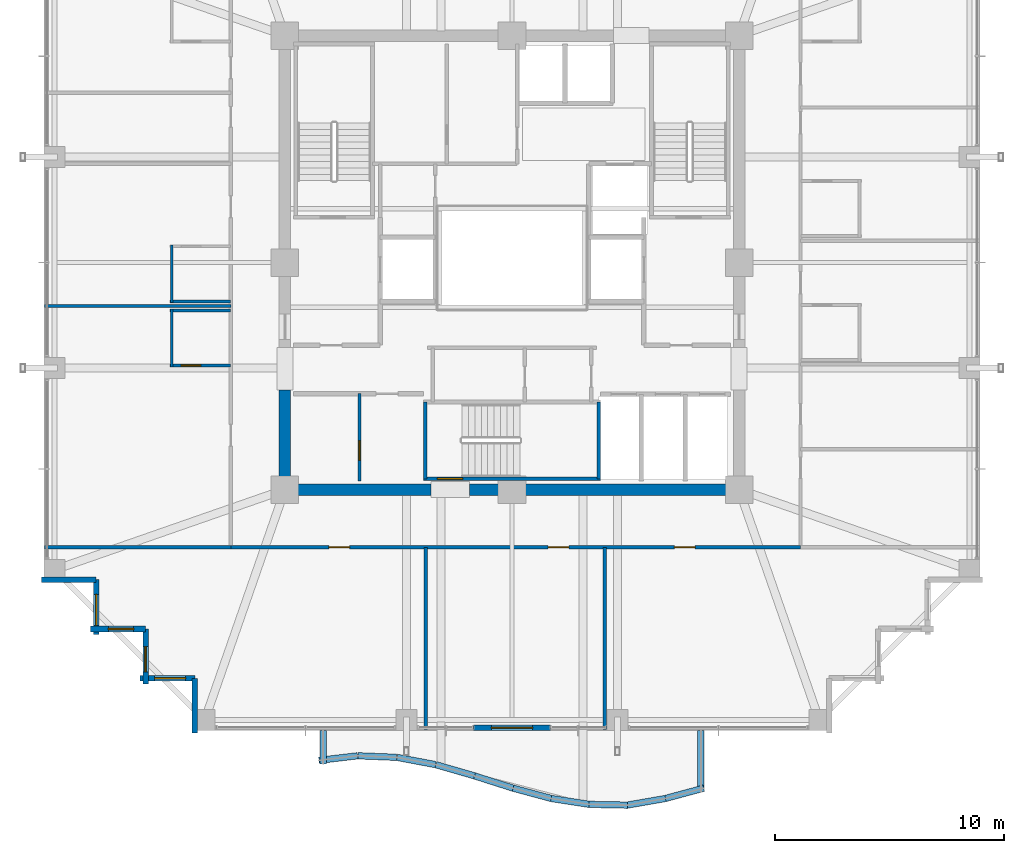
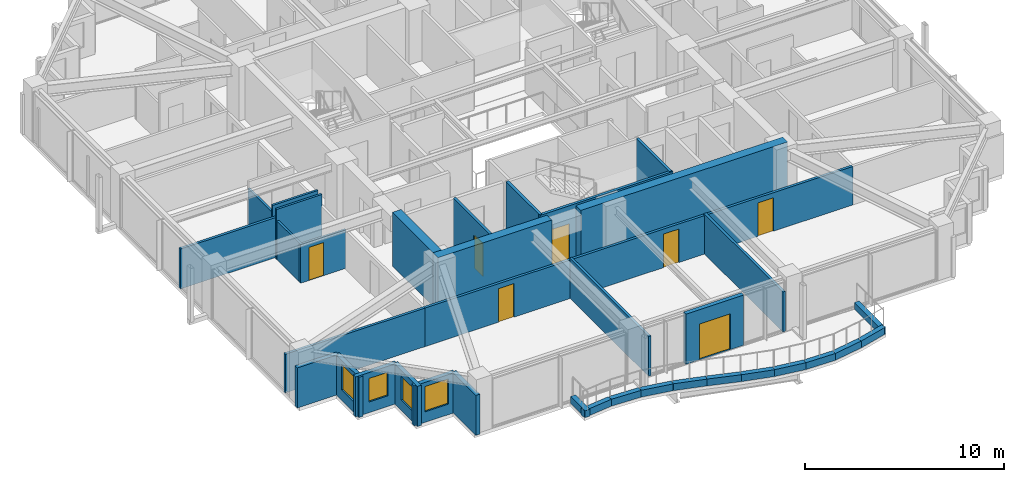
# One storey, part 31 of 37: 36 walls, 7 doors, 4 windows, 11 openings.
"""IFC4 building model written with IfcOpenShell, lengths in metres."""

from ifc_helpers import new_model, si_unit, direction, frame, frame_2d, origin, place, context, subcontext, project, spatial, rectangle, extrude, material, layer, layer_set, type_object, element, fill, save


model = new_model("IFC4")

# Units and contexts
model_context = context("Model", 3, precision=1e-05, world=origin(), true_north=direction((0.0, 1.0)))
body_context = subcontext(model_context, "Body", "Model", "MODEL_VIEW")
ifc_project = project(units=[si_unit("LENGTHUNIT", "METRE"), si_unit("AREAUNIT", "SQUARE_METRE"), si_unit("VOLUMEUNIT", "CUBIC_METRE"), si_unit("PLANEANGLEUNIT", "RADIAN"), si_unit("MASSUNIT", "GRAM", prefix="KILO")], contexts=[model_context])

# Site, building, storey
site_placement = place(None, origin())
site = spatial("IfcSite", under=ifc_project, at=site_placement, CompositionType="ELEMENT")
building_placement = place(site_placement, origin())
building = spatial("IfcBuilding", under=site, at=building_placement, Name="Kolvaren Belvedere", CompositionType="ELEMENT")
storey_placement = place(building_placement, frame((0.0, 0.0, 180.0)))
storey = spatial("IfcBuildingStorey", under=building, at=storey_placement, Name="L52", CompositionType="ELEMENT", Elevation=180.0)

# Walls
ifc_material_1 = material(Name="Concrete C50/60", Category="concrete")
ifc_layer_1 = layer(ifc_material_1, 0.5)
ifc_layer_set_1 = layer_set([ifc_layer_1], Name="Concrete C50/60")
wall_type_1 = type_object("IfcWallType", Name="CW-CORE-500", PredefinedType="SHEAR", material=ifc_layer_set_1)
wall_1_placement = place(storey_placement, frame((10.14990234375, -9.89990234375, 0.0), z_axis=(0.0, 0.0, 1.0), x_axis=(-1.0, 0.0, 0.0)))
element("IfcWall", 1, at=wall_1_placement, inside=storey, type_object=wall_type_1, Name="L52 South Core Shear Wall 1", PredefinedType="SHEAR", context=body_context, shape_type="SweptSolid", body=[
    extrude(rectangle(XDim=12.010009765625, YDim=0.5, at=frame_2d((6.0048828125, 0.0))), origin(), (0.0, 0.0, 1.0), 3.300048828125),
])
wall_2_placement = place(storey_placement, frame((-3.5400390625, -9.89990234375, 0.0), z_axis=(0.0, 0.0, 1.0), x_axis=(-1.0, 0.0, 0.0)))
element("IfcWall", 2, at=wall_2_placement, inside=storey, type_object=wall_type_1, Name="L52 South Core Shear Wall 2", PredefinedType="SHEAR", context=body_context, shape_type="SweptSolid", body=[
    extrude(rectangle(XDim=6.60986328125, YDim=0.5, at=frame_2d((3.304931640625, 0.0))), origin(), (0.0, 0.0, 1.0), 3.300048828125),
])
wall_3_placement = place(storey_placement, frame((-9.89990234375, -9.64990234375, 0.0), z_axis=(0.0, 0.0, 1.0), x_axis=(0.0, 1.0, 0.0)))
element("IfcWall", 3, at=wall_3_placement, inside=storey, type_object=wall_type_1, Name="L52 West Core Shear Wall 1", PredefinedType="SHEAR", context=body_context, shape_type="SweptSolid", body=[
    extrude(rectangle(XDim=4.099853515625, YDim=0.5, at=frame_2d((2.0498046875, 0.0))), origin(), (0.0, 0.0, 1.0), 3.300048828125),
])

# Wall, opening, door
ifc_material_2 = material(Name="Concrete C50/60", Category="concrete")
ifc_layer_2 = layer(ifc_material_2, 0.159912109375)
ifc_layer_set_2 = layer_set([ifc_layer_2], Name="Concrete C50/60")
wall_type_2 = type_object("IfcWallType", Name="CW-STAIR-160", PredefinedType="SHEAR", material=ifc_layer_set_2)
wall_4_placement = place(storey_placement, frame((3.860107421875, -9.429931640625, 0.0), z_axis=(0.0, 0.0, 1.0), x_axis=(-1.0, 0.0, 0.0)))
wall_4 = element("IfcWall", 4, at=wall_4_placement, inside=storey, type_object=wall_type_2, Name="L52 Stair ST-3 South Shear Wall", PredefinedType="SHEAR", context=body_context, shape_type="SweptSolid", body=[
    extrude(rectangle(XDim=7.72021484375, YDim=0.159912109375, at=frame_2d((3.860107421875, 0.0))), origin(), (0.0, 0.0, 1.0), 3.300048828125),
])
opening_1_placement = place(wall_4_placement, frame((6.010009765625, 0.0, 0.0)))
opening_1 = element("IfcOpeningElement", 5, at=opening_1_placement, cuts=wall_4, Name="Opening D-FD90", PredefinedType="OPENING", context=body_context, shape_type="SweptSolid", body=[
    extrude(rectangle(XDim=1.10009765625, YDim=2.199951171875, at=frame_2d((0.550048828125, 1.10009765625))), frame((0.0, 0.08984375, 0.0), z_axis=(0.0, -1.0, 0.0), x_axis=(1.0, 0.0, 0.0)), (0.0, 0.0, 1.0), 0.179931640625),
])
ifc_material_3 = material(Name="Painted hollow stainless steel", Category="steel")
door_type_1 = type_object("IfcDoorType", Name="DR-FD90-1100", OperationType="NOTDEFINED", PredefinedType="DOOR", material=ifc_material_3)
door_1_placement = place(opening_1_placement, origin())
door_1 = element("IfcDoor", 6, at=door_1_placement, inside=storey, type_object=door_type_1, Name="L52 Stair ST-3 Exit Door", OperationType="SINGLE_SWING_RIGHT", OverallHeight=2.199951171875, OverallWidth=1.10009765625, PredefinedType="DOOR", context=body_context, shape_type="SweptSolid", body=[
    extrude(rectangle(XDim=1.10009765625, YDim=2.199951171875, at=frame_2d((0.550048828125, 1.10009765625))), frame((0.0, 0.02490234375, 0.0), z_axis=(0.0, -1.0, 0.0), x_axis=(1.0, 0.0, 0.0)), (0.0, 0.0, 1.0), 0.050048828125),
])
fill(opening_1, door_1)

# Walls
for number, where, z_axis, x_axis, name in (
    (7, (-3.780029296875, -9.429931640625, 0.0), (0.0, 0.0, 1.0), (0.0, 1.0, 0.0), "L52 Stair ST-3 West Shear Wall"),
    (8, (3.780029296875, -9.429931640625, 0.0), (0.0, 0.0, 1.0), (0.0, 1.0, 0.0), "L52 Stair ST-3 East Shear Wall"),
):
    element("IfcWall", number, at=place(storey_placement, frame(where, z_axis=z_axis, x_axis=x_axis)), inside=storey, type_object=wall_type_2, Name=name, PredefinedType="SHEAR", context=body_context, shape_type="SweptSolid", body=[
        extrude(rectangle(XDim=3.349853515625, YDim=0.159912109375, at=frame_2d((1.6748046875, 0.0))), origin(), (0.0, 0.0, 1.0), 3.300048828125),
    ])

# Wall, openings, doors
ifc_material_4 = material(Name="Gypsum fire-rated partition assembly", Category="gypsum")
ifc_layer_3 = layer(ifc_material_4, 0.14990234375)
ifc_layer_set_3 = layer_set([ifc_layer_3], Name="Gypsum fire-rated partition assembly")
wall_type_3 = type_object("IfcWallType", Name="WL-CORR-150", PredefinedType="PARTITIONING", material=ifc_layer_set_3)
wall_5_placement = place(storey_placement, frame((-12.260009765625, -12.419921875, 0.0), z_axis=(0.0, 0.0, 1.0), x_axis=(1.0, 0.0, 0.0)))
wall_5 = element("IfcWall", 9, at=wall_5_placement, inside=storey, type_object=wall_type_3, Name="L52 South Corridor Wall", PredefinedType="PARTITIONING", context=body_context, shape_type="SweptSolid", body=[
    extrude(rectangle(XDim=24.840087890625, YDim=0.14990234375, at=frame_2d((12.419921875, 0.0))), origin(), (0.0, 0.0, 1.0), 2.368896484375),
])
opening_2_placement = place(wall_5_placement, frame((4.27490234375, 0.0, 0.0)))
opening_2 = element("IfcOpeningElement", 10, at=opening_2_placement, cuts=wall_5, Name="Opening D-INT90", PredefinedType="OPENING", context=body_context, shape_type="SweptSolid", body=[
    extrude(rectangle(XDim=0.89990234375, YDim=2.06005859375, at=frame_2d((0.449951171875, 1.030029296875))), frame((0.0, 0.0849609375, 0.0), z_axis=(0.0, -1.0, 0.0), x_axis=(1.0, 0.0, 0.0)), (0.0, 0.0, 1.0), 0.169921875),
])
opening_3_placement = place(wall_5_placement, frame((13.840087890625, 0.0, 0.0)))
opening_3 = element("IfcOpeningElement", 11, at=opening_3_placement, cuts=wall_5, Name="Opening D-INT90", PredefinedType="OPENING", context=body_context, shape_type="SweptSolid", body=[
    extrude(rectangle(XDim=0.89990234375, YDim=2.06005859375, at=frame_2d((0.449951171875, 1.030029296875))), frame((0.0, 0.0849609375, 0.0), z_axis=(0.0, -1.0, 0.0), x_axis=(1.0, 0.0, 0.0)), (0.0, 0.0, 1.0), 0.169921875),
])
opening_4_placement = place(wall_5_placement, frame((19.344970703125, 0.0, 0.0)))
opening_4 = element("IfcOpeningElement", 12, at=opening_4_placement, cuts=wall_5, Name="Opening D-INT90", PredefinedType="OPENING", context=body_context, shape_type="SweptSolid", body=[
    extrude(rectangle(XDim=0.89990234375, YDim=2.06005859375, at=frame_2d((0.449951171875, 1.030029296875))), frame((0.0, 0.0849609375, 0.0), z_axis=(0.0, -1.0, 0.0), x_axis=(1.0, 0.0, 0.0)), (0.0, 0.0, 1.0), 0.169921875),
])
ifc_material_5 = material(Name="Stained Pacific white oak", Category="timber")
door_type_2 = type_object("IfcDoorType", Name="DR-INT-900", OperationType="NOTDEFINED", PredefinedType="DOOR", material=ifc_material_5)
door_2_placement = place(opening_2_placement, origin())
door_2 = element("IfcDoor", 13, at=door_2_placement, inside=storey, type_object=door_type_2, Name="L52 Lounge 5201 Door", OperationType="SINGLE_SWING_RIGHT", OverallHeight=2.06005859375, OverallWidth=0.89990234375, PredefinedType="DOOR", context=body_context, shape_type="SweptSolid", body=[
    extrude(rectangle(XDim=0.89990234375, YDim=2.06005859375, at=frame_2d((0.449951171875, 1.030029296875))), frame((0.0, 0.02490234375, 0.0), z_axis=(0.0, -1.0, 0.0), x_axis=(1.0, 0.0, 0.0)), (0.0, 0.0, 1.0), 0.050048828125),
])
fill(opening_2, door_2)
door_3_placement = place(opening_3_placement, origin())
door_3 = element("IfcDoor", 14, at=door_3_placement, inside=storey, type_object=door_type_2, Name="L52 Private Hospitality Meeting Room 5202 Door", OperationType="SINGLE_SWING_LEFT", OverallHeight=2.06005859375, OverallWidth=0.89990234375, PredefinedType="DOOR", context=body_context, shape_type="SweptSolid", body=[
    extrude(rectangle(XDim=0.89990234375, YDim=2.06005859375, at=frame_2d((0.449951171875, 1.030029296875))), frame((0.0, 0.02490234375, 0.0), z_axis=(0.0, -1.0, 0.0), x_axis=(1.0, 0.0, 0.0)), (0.0, 0.0, 1.0), 0.050048828125),
])
fill(opening_3, door_3)
door_4_placement = place(opening_4_placement, origin())
door_4 = element("IfcDoor", 15, at=door_4_placement, inside=storey, type_object=door_type_2, Name="L52 Lounge 5203 Door", OperationType="SINGLE_SWING_RIGHT", OverallHeight=2.06005859375, OverallWidth=0.89990234375, PredefinedType="DOOR", context=body_context, shape_type="SweptSolid", body=[
    extrude(rectangle(XDim=0.89990234375, YDim=2.06005859375, at=frame_2d((0.449951171875, 1.030029296875))), frame((0.0, 0.02490234375, 0.0), z_axis=(0.0, -1.0, 0.0), x_axis=(1.0, 0.0, 0.0)), (0.0, 0.0, 1.0), 0.050048828125),
])
fill(opening_4, door_4)

# Wall, opening, door
ifc_material_6 = material(Name="Insulated pale-metal facade wall assembly", Category="aluminium")
ifc_layer_4 = layer(ifc_material_6, 0.239990234375)
ifc_layer_set_4 = layer_set([ifc_layer_4], Name="Insulated pale-metal facade wall assembly")
wall_type_4 = type_object("IfcWallType", Name="WL-EXT-240", PredefinedType="STANDARD", material=ifc_layer_set_4)
wall_6_placement = place(storey_placement, frame((1.679931640625, -20.280029296875, 0.0), z_axis=(0.0, 0.0, 1.0), x_axis=(-1.0, 0.0, 0.0)))
wall_6 = element("IfcWall", 16, at=wall_6_placement, inside=storey, type_object=wall_type_4, Name="L52 South Terrace Portal Wall", PredefinedType="STANDARD", context=body_context, shape_type="SweptSolid", body=[
    extrude(rectangle(XDim=3.35986328125, YDim=0.239990234375, at=frame_2d((1.679931640625, 0.0))), origin(), (0.0, 0.0, 1.0), 3.080078125),
])
opening_5_placement = place(wall_6_placement, frame((0.780029296875, 0.0, 0.0)))
opening_5 = element("IfcOpeningElement", 17, at=opening_5_placement, cuts=wall_6, Name="Opening DB-1800", PredefinedType="OPENING", context=body_context, shape_type="SweptSolid", body=[
    extrude(rectangle(XDim=1.800048828125, YDim=2.199951171875, at=frame_2d((0.89990234375, 1.10009765625))), frame((0.0, 0.1298828125, 0.0), z_axis=(0.0, -1.0, 0.0), x_axis=(1.0, 0.0, 0.0)), (0.0, 0.0, 1.0), 0.260009765625),
])
ifc_material_7 = material(Name="Thermally broken pale-metal aluminium & low-iron glass", Category="aluminium")
door_type_3 = type_object("IfcDoorType", Name="DR-BAL-1800", OperationType="DOUBLE_DOOR_SLIDING", PredefinedType="DOOR", material=ifc_material_7)
door_5_placement = place(opening_5_placement, origin())
door_5 = element("IfcDoor", 18, at=door_5_placement, inside=storey, type_object=door_type_3, Name="L52 South Planted Terrace Sliding Door", OperationType="DOUBLE_DOOR_SLIDING", OverallHeight=2.199951171875, OverallWidth=1.800048828125, PredefinedType="DOOR", context=body_context, shape_type="SweptSolid", body=[
    extrude(rectangle(XDim=1.800048828125, YDim=2.199951171875, at=frame_2d((0.89990234375, 1.10009765625))), frame((0.0, 0.02490234375, 0.0), z_axis=(0.0, -1.0, 0.0), x_axis=(1.0, 0.0, 0.0)), (0.0, 0.0, 1.0), 0.050048828125),
])
fill(opening_5, door_5)

# Wall
wall_7_placement = place(storey_placement, frame((-18.1298828125, -13.830078125, 0.0), z_axis=(0.0, 0.0, 1.0), x_axis=(-1.0, 0.0, 0.0)))
element("IfcWall", 19, at=wall_7_placement, inside=storey, type_object=wall_type_4, Name="L52 Serrated Corner Facade Wall 23", PredefinedType="STANDARD", context=body_context, shape_type="SweptSolid", body=[
    extrude(rectangle(XDim=2.39013671875, YDim=0.239990234375, at=frame_2d((1.195068359375, 0.0))), origin(), (0.0, 0.0, 1.0), 2.462890625),
])

# Wall, opening, window
wall_8_placement = place(storey_placement, frame((-18.1298828125, -16.219970703125, 0.0), z_axis=(0.0, 0.0, 1.0), x_axis=(0.0, 1.0, 0.0)))
wall_8 = element("IfcWall", 20, at=wall_8_placement, inside=storey, type_object=wall_type_4, Name="L52 Serrated Corner Facade Wall 24", PredefinedType="STANDARD", context=body_context, shape_type="SweptSolid", body=[
    extrude(rectangle(XDim=2.389892578125, YDim=0.239990234375, at=frame_2d((1.19482421875, 0.0))), origin(), (0.0, 0.0, 1.0), 2.462890625),
])
opening_6_placement = place(wall_8_placement, frame((0.39990234375, 0.0, 0.64990234375)))
opening_6 = element("IfcOpeningElement", 21, at=opening_6_placement, cuts=wall_8, Name="Opening W-1350", PredefinedType="OPENING", context=body_context, shape_type="SweptSolid", body=[
    extrude(rectangle(XDim=1.35009765625, YDim=1.550048828125, at=frame_2d((0.675048828125, 0.77490234375))), frame((0.0, 0.1298828125, 0.0), z_axis=(0.0, -1.0, 0.0), x_axis=(1.0, 0.0, 0.0)), (0.0, 0.0, 1.0), 0.260009765625),
])
ifc_material_8 = material(Name="Low-iron triple insulated glass", Category="glass")
window_type_1 = type_object("IfcWindowType", Name="WN-CORN-1350", PartitioningType="SINGLE_PANEL", PredefinedType="WINDOW", material=ifc_material_8)
window_1_placement = place(opening_6_placement, origin())
window_1 = element("IfcWindow", 22, at=window_1_placement, inside=storey, type_object=window_type_1, Name="L52 Serrated Corner Vision Window 24", OverallHeight=1.550048828125, OverallWidth=1.35009765625, PartitioningType="SINGLE_PANEL", PredefinedType="WINDOW", context=body_context, shape_type="SweptSolid", body=[
    extrude(rectangle(XDim=1.35009765625, YDim=1.550048828125, at=frame_2d((0.675048828125, 0.77490234375))), frame((0.0, 0.030029296875, 0.0), z_axis=(0.0, -1.0, 0.0), x_axis=(1.0, 0.0, 0.0)), (0.0, 0.0, 1.0), 0.06005859375),
])
fill(opening_6, window_1)

wall_9_placement = place(storey_placement, frame((-15.97998046875, -15.97998046875, 0.0), z_axis=(0.0, 0.0, 1.0), x_axis=(-1.0, 0.0, 0.0)))
wall_9 = element("IfcWall", 23, at=wall_9_placement, inside=storey, type_object=wall_type_4, Name="L52 Serrated Corner Facade Wall 25", PredefinedType="STANDARD", context=body_context, shape_type="SweptSolid", body=[
    extrude(rectangle(XDim=2.39013671875, YDim=0.239990234375, at=frame_2d((1.195068359375, 0.0))), origin(), (0.0, 0.0, 1.0), 2.462890625),
])
opening_7_placement = place(wall_9_placement, frame((0.52490234375, 0.0, 0.64990234375)))
opening_7 = element("IfcOpeningElement", 24, at=opening_7_placement, cuts=wall_9, Name="Opening W-1100", PredefinedType="OPENING", context=body_context, shape_type="SweptSolid", body=[
    extrude(rectangle(XDim=1.10009765625, YDim=1.449951171875, at=frame_2d((0.550048828125, 0.72509765625))), frame((0.0, 0.1298828125, 0.0), z_axis=(0.0, -1.0, 0.0), x_axis=(1.0, 0.0, 0.0)), (0.0, 0.0, 1.0), 0.260009765625),
])
ifc_material_9 = material(Name="Low-iron triple insulated glass", Category="glass")
window_type_2 = type_object("IfcWindowType", Name="WN-CORN-1100", PartitioningType="SINGLE_PANEL", PredefinedType="WINDOW", material=ifc_material_9)
window_2_placement = place(opening_7_placement, origin())
window_2 = element("IfcWindow", 25, at=window_2_placement, inside=storey, type_object=window_type_2, Name="L52 Serrated Corner Vision Window 25", OverallHeight=1.449951171875, OverallWidth=1.10009765625, PartitioningType="SINGLE_PANEL", PredefinedType="WINDOW", context=body_context, shape_type="SweptSolid", body=[
    extrude(rectangle(XDim=1.10009765625, YDim=1.449951171875, at=frame_2d((0.550048828125, 0.72509765625))), frame((0.0, 0.030029296875, 0.0), z_axis=(0.0, -1.0, 0.0), x_axis=(1.0, 0.0, 0.0)), (0.0, 0.0, 1.0), 0.06005859375),
])
fill(opening_7, window_2)

wall_10_placement = place(storey_placement, frame((-15.97998046875, -18.3701171875, 0.0), z_axis=(0.0, 0.0, 1.0), x_axis=(0.0, 1.0, 0.0)))
wall_10 = element("IfcWall", 26, at=wall_10_placement, inside=storey, type_object=wall_type_4, Name="L52 Serrated Corner Facade Wall 26", PredefinedType="STANDARD", context=body_context, shape_type="SweptSolid", body=[
    extrude(rectangle(XDim=2.39013671875, YDim=0.239990234375, at=frame_2d((1.195068359375, 0.0))), origin(), (0.0, 0.0, 1.0), 2.462890625),
])
opening_8_placement = place(wall_10_placement, frame((0.52490234375, 0.0, 0.64990234375)))
opening_8 = element("IfcOpeningElement", 27, at=opening_8_placement, cuts=wall_10, Name="Opening W-1100", PredefinedType="OPENING", context=body_context, shape_type="SweptSolid", body=[
    extrude(rectangle(XDim=1.10009765625, YDim=1.449951171875, at=frame_2d((0.550048828125, 0.72509765625))), frame((0.0, 0.1298828125, 0.0), z_axis=(0.0, -1.0, 0.0), x_axis=(1.0, 0.0, 0.0)), (0.0, 0.0, 1.0), 0.260009765625),
])
window_3_placement = place(opening_8_placement, origin())
window_3 = element("IfcWindow", 28, at=window_3_placement, inside=storey, type_object=window_type_2, Name="L52 Serrated Corner Vision Window 26", OverallHeight=1.449951171875, OverallWidth=1.10009765625, PartitioningType="SINGLE_PANEL", PredefinedType="WINDOW", context=body_context, shape_type="SweptSolid", body=[
    extrude(rectangle(XDim=1.10009765625, YDim=1.449951171875, at=frame_2d((0.550048828125, 0.72509765625))), frame((0.0, 0.030029296875, 0.0), z_axis=(0.0, -1.0, 0.0), x_axis=(1.0, 0.0, 0.0)), (0.0, 0.0, 1.0), 0.06005859375),
])
fill(opening_8, window_3)

wall_11_placement = place(storey_placement, frame((-13.830078125, -18.1298828125, 0.0), z_axis=(0.0, 0.0, 1.0), x_axis=(-1.0, 0.0, 0.0)))
wall_11 = element("IfcWall", 29, at=wall_11_placement, inside=storey, type_object=wall_type_4, Name="L52 Serrated Corner Facade Wall 27", PredefinedType="STANDARD", context=body_context, shape_type="SweptSolid", body=[
    extrude(rectangle(XDim=2.389892578125, YDim=0.239990234375, at=frame_2d((1.19482421875, 0.0))), origin(), (0.0, 0.0, 1.0), 2.462890625),
])
opening_9_placement = place(wall_11_placement, frame((0.39990234375, 0.0, 0.64990234375)))
opening_9 = element("IfcOpeningElement", 30, at=opening_9_placement, cuts=wall_11, Name="Opening W-1350", PredefinedType="OPENING", context=body_context, shape_type="SweptSolid", body=[
    extrude(rectangle(XDim=1.35009765625, YDim=1.550048828125, at=frame_2d((0.675048828125, 0.77490234375))), frame((0.0, 0.1298828125, 0.0), z_axis=(0.0, -1.0, 0.0), x_axis=(1.0, 0.0, 0.0)), (0.0, 0.0, 1.0), 0.260009765625),
])
window_4_placement = place(opening_9_placement, origin())
window_4 = element("IfcWindow", 31, at=window_4_placement, inside=storey, type_object=window_type_1, Name="L52 Serrated Corner Vision Window 27", OverallHeight=1.550048828125, OverallWidth=1.35009765625, PartitioningType="SINGLE_PANEL", PredefinedType="WINDOW", context=body_context, shape_type="SweptSolid", body=[
    extrude(rectangle(XDim=1.35009765625, YDim=1.550048828125, at=frame_2d((0.675048828125, 0.77490234375))), frame((0.0, 0.030029296875, 0.0), z_axis=(0.0, -1.0, 0.0), x_axis=(1.0, 0.0, 0.0)), (0.0, 0.0, 1.0), 0.06005859375),
])
fill(opening_9, window_4)

# Wall
wall_12_placement = place(storey_placement, frame((-13.830078125, -20.52001953125, 0.0), z_axis=(0.0, 0.0, 1.0), x_axis=(0.0, 1.0, 0.0)))
element("IfcWall", 32, at=wall_12_placement, inside=storey, type_object=wall_type_4, Name="L52 Serrated Corner Facade Wall 28", PredefinedType="STANDARD", context=body_context, shape_type="SweptSolid", body=[
    extrude(rectangle(XDim=2.39013671875, YDim=0.239990234375, at=frame_2d((1.195068359375, 0.0))), origin(), (0.0, 0.0, 1.0), 2.462890625),
])

# Wall, opening, door
ifc_material_10 = material(Name="Gypsum acoustic partition assembly", Category="gypsum")
ifc_layer_5 = layer(ifc_material_10, 0.14990234375)
ifc_layer_set_5 = layer_set([ifc_layer_5], Name="Gypsum acoustic partition assembly")
wall_type_5 = type_object("IfcWallType", Name="WL-PART-150", PredefinedType="PARTITIONING", material=ifc_layer_set_5)
wall_13_placement = place(storey_placement, frame((-6.64990234375, -9.52001953125, 0.0), z_axis=(0.0, 0.0, 1.0), x_axis=(0.0, 1.0, 0.0)))
wall_13 = element("IfcWall", 33, at=wall_13_placement, inside=storey, type_object=wall_type_5, Name="L52 Reclaimed Mid Divider", PredefinedType="PARTITIONING", context=body_context, shape_type="SweptSolid", body=[
    extrude(rectangle(XDim=3.800048828125, YDim=0.14990234375, at=frame_2d((1.89990234375, 0.0))), origin(), (0.0, 0.0, 1.0), 3.080078125),
])
opening_10_placement = place(wall_13_placement, frame((0.89990234375, 0.0, 0.0)))
opening_10 = element("IfcOpeningElement", 34, at=opening_10_placement, cuts=wall_13, Name="Opening D-INT85", PredefinedType="OPENING", context=body_context, shape_type="SweptSolid", body=[
    extrude(rectangle(XDim=0.85009765625, YDim=2.030029296875, at=frame_2d((0.425048828125, 1.01513671875))), frame((0.0, 0.0849609375, 0.0), z_axis=(0.0, -1.0, 0.0), x_axis=(1.0, 0.0, 0.0)), (0.0, 0.0, 1.0), 0.169921875),
])
ifc_material_11 = material(Name="Stained Pacific white oak", Category="timber")
door_type_4 = type_object("IfcDoorType", Name="DR-INT-850", OperationType="NOTDEFINED", PredefinedType="DOOR", material=ifc_material_11)
door_6_placement = place(opening_10_placement, origin())
door_6 = element("IfcDoor", 35, at=door_6_placement, inside=storey, type_object=door_type_4, Name="L52 Conservatory Alcove Door", OperationType="SINGLE_SWING_RIGHT", OverallHeight=2.030029296875, OverallWidth=0.85009765625, PredefinedType="DOOR", context=body_context, shape_type="SweptSolid", body=[
    extrude(rectangle(XDim=0.85009765625, YDim=2.030029296875, at=frame_2d((0.425048828125, 1.01513671875))), frame((0.0, 0.02490234375, 0.0), z_axis=(0.0, -1.0, 0.0), x_axis=(1.0, 0.0, 0.0)), (0.0, 0.0, 1.0), 0.050048828125),
])
fill(opening_10, door_6)

# Walls
wall_14_placement = place(storey_placement, frame((-20.3798828125, -12.419921875, 0.0), z_axis=(0.0, 0.0, 1.0), x_axis=(1.0, 0.0, 0.0)))
element("IfcWall", 36, at=wall_14_placement, inside=storey, type_object=wall_type_5, Name="L52 Wing Divider PW-L52-QSW", PredefinedType="PARTITIONING", context=body_context, shape_type="SweptSolid", body=[
    extrude(rectangle(XDim=8.119873046875, YDim=0.14990234375, at=frame_2d((4.06005859375, 0.0))), origin(), (0.0, 0.0, 1.0), 2.368896484375),
])
for number, where, z_axis, x_axis, name in (
    (37, (-3.760009765625, -20.3798828125, 0.0), (0.0, 0.0, 1.0), (0.0, 1.0, 0.0), "L52 South Suite Demising Wall 1"),
    (38, (4.0400390625, -20.3798828125, 0.0), (0.0, 0.0, 1.0), (0.0, 1.0, 0.0), "L52 South Suite Demising Wall 2"),
):
    element("IfcWall", number, at=place(storey_placement, frame(where, z_axis=z_axis, x_axis=x_axis)), inside=storey, type_object=wall_type_5, Name=name, PredefinedType="PARTITIONING", context=body_context, shape_type="SweptSolid", body=[
        extrude(rectangle(XDim=7.9599609375, YDim=0.14990234375, at=frame_2d((3.97998046875, 0.0))), origin(), (0.0, 0.0, 1.0), 2.452880859375),
    ])
wall_15_placement = place(storey_placement, frame((-20.3798828125, -1.89599609375, 0.0), z_axis=(0.0, 0.0, 1.0), x_axis=(1.0, 0.0, 0.0)))
element("IfcWall", 39, at=wall_15_placement, inside=storey, type_object=wall_type_5, Name="L52 West Suite Demising Wall 1", PredefinedType="PARTITIONING", context=body_context, shape_type="SweptSolid", body=[
    extrude(rectangle(XDim=8.119873046875, YDim=0.14990234375, at=frame_2d((4.06005859375, 0.0))), origin(), (0.0, 0.0, 1.0), 2.452880859375),
])
ifc_material_12 = material(Name="Precast concrete C40/50", Category="concrete")
ifc_layer_6 = layer(ifc_material_12, 0.300048828125)
ifc_layer_set_6 = layer_set([ifc_layer_6], Name="Precast concrete C40/50")
wall_type_6 = type_object("IfcWallType", Name="WL-PLANTER-300", PredefinedType="PARAPET", material=ifc_layer_set_6)
wall_16_placement = place(storey_placement, frame((-8.418701171875, -21.70751953125, -0.0400390625), z_axis=(0.0, 0.0, 1.0), x_axis=(0.993125952783, 0.11705059551, 0.0)))
element("IfcWall", 40, at=wall_16_placement, inside=storey, type_object=wall_type_6, Name="L52 Precast Structural Planter Wall BAL-S-1", PredefinedType="PARAPET", context=body_context, shape_type="SweptSolid", body=[
    extrude(rectangle(XDim=1.691650390625, YDim=0.280029296875, at=frame_2d((0.845703125, 0.0))), origin(), (0.0, 0.0, 1.0), 0.419921875),
])
wall_17_placement = place(storey_placement, frame((-6.713623046875, -21.508544921875, -0.0400390625), z_axis=(0.0, 0.0, 1.0), x_axis=(0.999196545286, -0.040078222133, 0.0)))
element("IfcWall", 41, at=wall_17_placement, inside=storey, type_object=wall_type_6, Name="L52 Precast Structural Planter Wall BAL-S-2", PredefinedType="PARAPET", context=body_context, shape_type="SweptSolid", body=[
    extrude(rectangle(XDim=1.681396484375, YDim=0.280029296875, at=frame_2d((0.8408203125, 0.0))), origin(), (0.0, 0.0, 1.0), 0.419921875),
])
wall_18_placement = place(storey_placement, frame((-5.010498046875, -21.57861328125, -0.0400390625), z_axis=(0.0, 0.0, 1.0), x_axis=(0.982804219087, -0.184650661912, 0.0)))
element("IfcWall", 42, at=wall_18_placement, inside=storey, type_object=wall_type_6, Name="L52 Precast Structural Planter Wall BAL-S-3", PredefinedType="PARAPET", context=body_context, shape_type="SweptSolid", body=[
    extrude(rectangle(XDim=1.70947265625, YDim=0.280029296875, at=frame_2d((0.854736328125, 0.0))), origin(), (0.0, 0.0, 1.0), 0.419921875),
])
wall_19_placement = place(storey_placement, frame((-3.3154296875, -21.89794921875, -0.0400390625), z_axis=(0.0, 0.0, 1.0), x_axis=(0.960633903819, -0.277817391164, 0.0)))
element("IfcWall", 43, at=wall_19_placement, inside=storey, type_object=wall_type_6, Name="L52 Precast Structural Planter Wall BAL-S-4", PredefinedType="PARAPET", context=body_context, shape_type="SweptSolid", body=[
    extrude(rectangle(XDim=1.748779296875, YDim=0.280029296875, at=frame_2d((0.87451171875, 0.0))), origin(), (0.0, 0.0, 1.0), 0.419921875),
])
wall_20_placement = place(storey_placement, frame((-1.63134765625, -22.38525390625, -0.0400390625), z_axis=(0.0, 0.0, 1.0), x_axis=(0.952661770826, -0.304032153573, 0.0)))
element("IfcWall", 44, at=wall_20_placement, inside=storey, type_object=wall_type_6, Name="L52 Precast Structural Planter Wall BAL-S-5", PredefinedType="PARAPET", context=body_context, shape_type="SweptSolid", body=[
    extrude(rectangle(XDim=1.763427734375, YDim=0.280029296875, at=frame_2d((0.8818359375, 0.0))), origin(), (0.0, 0.0, 1.0), 0.419921875),
])
wall_21_placement = place(storey_placement, frame((0.041748046875, -22.919189453125, -0.0400390625), z_axis=(0.0, 0.0, 1.0), x_axis=(0.965424492388, -0.260682852326, 0.0)))
element("IfcWall", 45, at=wall_21_placement, inside=storey, type_object=wall_type_6, Name="L52 Precast Structural Planter Wall BAL-S-6", PredefinedType="PARAPET", context=body_context, shape_type="SweptSolid", body=[
    extrude(rectangle(XDim=1.739990234375, YDim=0.280029296875, at=frame_2d((0.8701171875, 0.0))), origin(), (0.0, 0.0, 1.0), 0.419921875),
])
wall_22_placement = place(storey_placement, frame((1.704345703125, -23.369140625, -0.0400390625), z_axis=(0.0, 0.0, 1.0), x_axis=(0.988345118302, -0.152229849666, 0.0)))
element("IfcWall", 46, at=wall_22_placement, inside=storey, type_object=wall_type_6, Name="L52 Precast Structural Planter Wall BAL-S-7", PredefinedType="PARAPET", context=body_context, shape_type="SweptSolid", body=[
    extrude(rectangle(XDim=1.699951171875, YDim=0.280029296875, at=frame_2d((0.85009765625, 0.0))), origin(), (0.0, 0.0, 1.0), 0.419921875),
])
wall_23_placement = place(storey_placement, frame((3.36328125, -23.626220703125, -0.0400390625), z_axis=(0.0, 0.0, 1.0), x_axis=(0.99979895463, -0.020051192521, 0.0)))
element("IfcWall", 47, at=wall_23_placement, inside=storey, type_object=wall_type_6, Name="L52 Precast Structural Planter Wall BAL-S-8", PredefinedType="PARAPET", context=body_context, shape_type="SweptSolid", body=[
    extrude(rectangle(XDim=1.68017578125, YDim=0.280029296875, at=frame_2d((0.840087890625, 0.0))), origin(), (0.0, 0.0, 1.0), 0.419921875),
])
wall_24_placement = place(storey_placement, frame((5.012451171875, -23.662353515625, -0.0400390625), z_axis=(0.0, 0.0, 1.0), x_axis=(0.985156010777, 0.171661394699, 0.0)))
element("IfcWall", 48, at=wall_24_placement, inside=storey, type_object=wall_type_6, Name="L52 Precast Structural Planter Wall BAL-S-9", PredefinedType="PARAPET", context=body_context, shape_type="SweptSolid", body=[
    extrude(rectangle(XDim=1.705322265625, YDim=0.280029296875, at=frame_2d((0.8525390625, 0.0))), origin(), (0.0, 0.0, 1.0), 0.419921875),
])
wall_25_placement = place(storey_placement, frame((6.67822265625, -23.372802734375, -0.0400390625), z_axis=(0.0, 0.0, 1.0), x_axis=(0.965434024814, 0.260647546949, 0.0)))
element("IfcWall", 49, at=wall_25_placement, inside=storey, type_object=wall_type_6, Name="L52 Precast Structural Planter Wall BAL-S-10", PredefinedType="PARAPET", context=body_context, shape_type="SweptSolid", body=[
    extrude(rectangle(XDim=1.740234375, YDim=0.280029296875, at=frame_2d((0.8701171875, 0.0))), origin(), (0.0, 0.0, 1.0), 0.419921875),
])
wall_26_placement = place(storey_placement, frame((8.239990234375, -23.07373046875, -0.0400390625), z_axis=(0.0, 0.0, 1.0), x_axis=(0.0, 1.0, 0.0)))
element("IfcWall", 50, at=wall_26_placement, inside=storey, type_object=wall_type_6, Name="L52 Precast Structural Planter Wall BAL-S-11", PredefinedType="PARAPET", context=body_context, shape_type="SweptSolid", body=[
    extrude(rectangle(XDim=2.673828125, YDim=0.280029296875, at=frame_2d((1.3369140625, 0.0))), origin(), (0.0, 0.0, 1.0), 0.419921875),
])
wall_27_placement = place(storey_placement, frame((-8.239990234375, -20.39990234375, -0.0400390625), z_axis=(0.0, 0.0, 1.0), x_axis=(0.0, -1.0, 0.0)))
element("IfcWall", 51, at=wall_27_placement, inside=storey, type_object=wall_type_6, Name="L52 Precast Structural Planter Wall BAL-S-22", PredefinedType="PARAPET", context=body_context, shape_type="SweptSolid", body=[
    extrude(rectangle(XDim=1.46630859375, YDim=0.280029296875, at=frame_2d((0.733154296875, 0.0))), origin(), (0.0, 0.0, 1.0), 0.419921875),
])

# Wall, opening, door
ifc_material_13 = material(Name="Moisture-resistant gypsum partition", Category="gypsum")
ifc_layer_7 = layer(ifc_material_13, 0.125)
ifc_layer_set_7 = layer_set([ifc_layer_7], Name="Moisture-resistant gypsum partition")
wall_type_7 = type_object("IfcWallType", Name="WL-WET-125", PredefinedType="PARTITIONING", material=ifc_layer_set_7)
wall_28_placement = place(storey_placement, frame((-14.9150390625, -4.490966796875, 0.0), z_axis=(0.0, 0.0, 1.0), x_axis=(1.0, 0.0, 0.0)))
wall_28 = element("IfcWall", 52, at=wall_28_placement, inside=storey, type_object=wall_type_7, Name="L52 Bathroom Partition PW-L52-BTH-9-N", PredefinedType="PARTITIONING", context=body_context, shape_type="SweptSolid", body=[
    extrude(rectangle(XDim=2.64013671875, YDim=0.125, at=frame_2d((1.320068359375, 0.0))), origin(), (0.0, 0.0, 1.0), 2.368896484375),
])
opening_11_placement = place(wall_28_placement, frame((0.5, 0.0, 0.0)))
opening_11 = element("IfcOpeningElement", 53, at=opening_11_placement, cuts=wall_28, Name="Opening D-BTH85", PredefinedType="OPENING", context=body_context, shape_type="SweptSolid", body=[
    extrude(rectangle(XDim=0.85009765625, YDim=2.030029296875, at=frame_2d((0.425048828125, 1.01513671875))), frame((0.0, 0.072509765625, 0.0), z_axis=(0.0, -1.0, 0.0), x_axis=(1.0, 0.0, 0.0)), (0.0, 0.0, 1.0), 0.14501953125),
])
ifc_material_14 = material(Name="Moisture-sealed Pacific white oak", Category="timber")
door_type_5 = type_object("IfcDoorType", Name="DR-BATH-850", OperationType="NOTDEFINED", PredefinedType="DOOR", material=ifc_material_14)
door_7_placement = place(opening_11_placement, origin())
door_7 = element("IfcDoor", 54, at=door_7_placement, inside=storey, type_object=door_type_5, Name="L52 En-Suite Bathroom 5209 Door", OperationType="SINGLE_SWING_LEFT", OverallHeight=2.030029296875, OverallWidth=0.85009765625, PredefinedType="DOOR", context=body_context, shape_type="SweptSolid", body=[
    extrude(rectangle(XDim=0.85009765625, YDim=2.030029296875, at=frame_2d((0.425048828125, 1.01513671875))), frame((0.0, 0.02490234375, 0.0), z_axis=(0.0, -1.0, 0.0), x_axis=(1.0, 0.0, 0.0)), (0.0, 0.0, 1.0), 0.050048828125),
])
fill(opening_11, door_7)

# Walls
wall_29_placement = place(storey_placement, frame((-14.8349609375, -4.551025390625, 0.0), z_axis=(0.0, 0.0, 1.0), x_axis=(0.0, 1.0, 0.0)))
element("IfcWall", 55, at=wall_29_placement, inside=storey, type_object=wall_type_7, Name="L52 Bathroom Partition PW-L52-BTH-9-V", PredefinedType="PARTITIONING", context=body_context, shape_type="SweptSolid", body=[
    extrude(rectangle(XDim=2.52001953125, YDim=0.125, at=frame_2d((1.260009765625, 0.0))), origin(), (0.0, 0.0, 1.0), 2.368896484375),
])
wall_30_placement = place(storey_placement, frame((-14.9150390625, -2.091064453125, 0.0), z_axis=(0.0, 0.0, 1.0), x_axis=(1.0, 0.0, 0.0)))
element("IfcWall", 56, at=wall_30_placement, inside=storey, type_object=wall_type_7, Name="L52 Bathroom Partition PW-L52-BTH-9-S", PredefinedType="PARTITIONING", context=body_context, shape_type="SweptSolid", body=[
    extrude(rectangle(XDim=2.64013671875, YDim=0.125, at=frame_2d((1.320068359375, 0.0))), origin(), (0.0, 0.0, 1.0), 3.080078125),
])
wall_31_placement = place(storey_placement, frame((-14.8349609375, -1.7509765625, 0.0), z_axis=(0.0, 0.0, 1.0), x_axis=(0.0, 1.0, 0.0)))
element("IfcWall", 57, at=wall_31_placement, inside=storey, type_object=wall_type_7, Name="L52 Bathroom Partition PW-L52-BTH-10-V", PredefinedType="PARTITIONING", context=body_context, shape_type="SweptSolid", body=[
    extrude(rectangle(XDim=2.52001953125, YDim=0.125, at=frame_2d((1.260009765625, 0.0))), origin(), (0.0, 0.0, 1.0), 2.60498046875),
])
wall_32_placement = place(storey_placement, frame((-14.9150390625, -1.69091796875, 0.0), z_axis=(0.0, 0.0, 1.0), x_axis=(1.0, 0.0, 0.0)))
element("IfcWall", 58, at=wall_32_placement, inside=storey, type_object=wall_type_7, Name="L52 Bathroom Partition PW-L52-BTH-10-S", PredefinedType="PARTITIONING", context=body_context, shape_type="SweptSolid", body=[
    extrude(rectangle(XDim=2.64013671875, YDim=0.125, at=frame_2d((1.320068359375, 0.0))), origin(), (0.0, 0.0, 1.0), 3.080078125),
])

save(model, "model.ifc")
